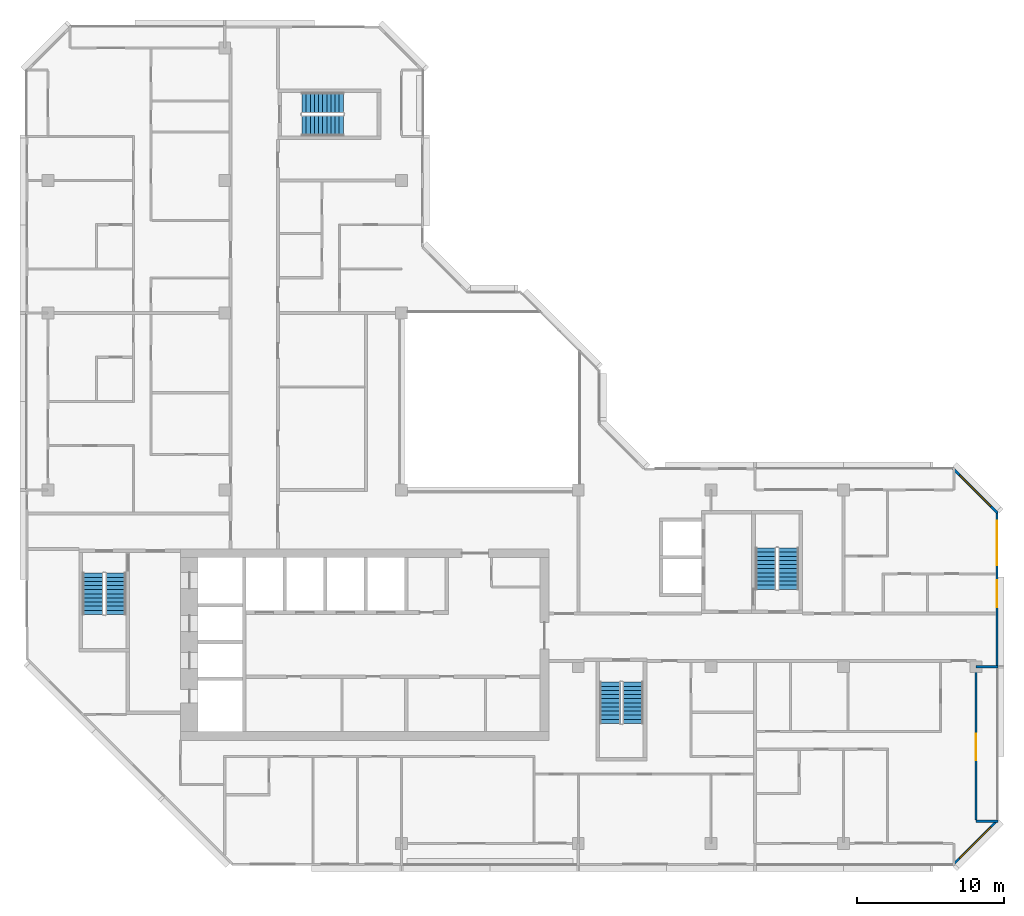
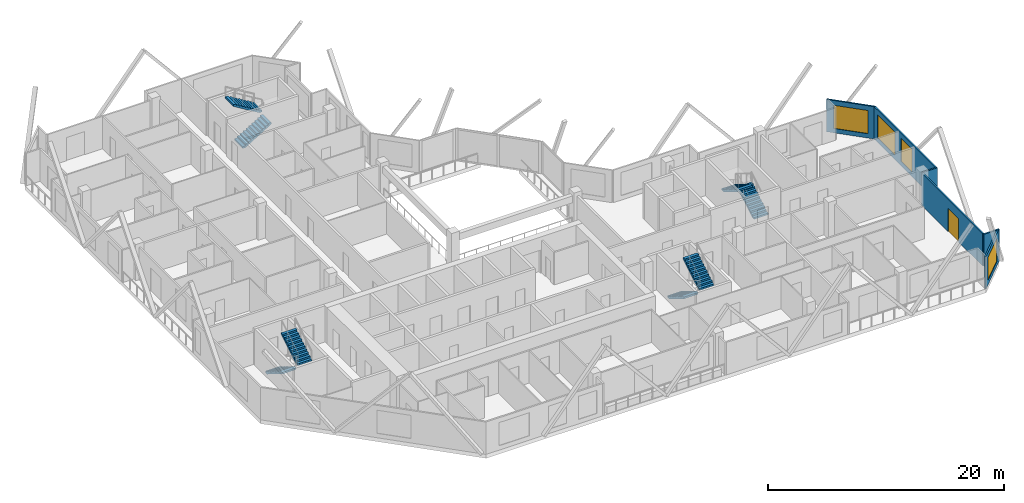
# One storey, part 11 of 13: 8 stair flights, 6 walls, 4 windows, 1 door, 5 openings, 4 elements without a shape of their own.
"""IFC4 building model written with IfcOpenShell, lengths in metres."""

from ifc_helpers import new_model, si_unit, direction, frame, frame_2d, origin, place, context, subcontext, project, spatial, polyline, rectangle, outline, extrude, material, layer, layer_set, type_object, element, fill, aggregate, save


model = new_model("IFC4")

# Units and contexts
model_context = context("Model", 3, precision=1e-05, world=origin(), true_north=direction((0.0, 1.0)))
body_context = subcontext(model_context, "Body", "Model", "MODEL_VIEW")
ifc_project = project(units=[si_unit("LENGTHUNIT", "METRE"), si_unit("AREAUNIT", "SQUARE_METRE"), si_unit("VOLUMEUNIT", "CUBIC_METRE"), si_unit("PLANEANGLEUNIT", "RADIAN"), si_unit("MASSUNIT", "GRAM", prefix="KILO")], contexts=[model_context])

# Site, building, storey
site_placement = place(None, origin())
site = spatial("IfcSite", under=ifc_project, at=site_placement, CompositionType="ELEMENT")
building_placement = place(site_placement, origin())
building = spatial("IfcBuilding", under=site, at=building_placement, Name="Chenar Terraces", CompositionType="ELEMENT")
storey_placement = place(building_placement, frame((0.0, 0.0, 303.39990234375)))
storey = spatial("IfcBuildingStorey", under=building, at=storey_placement, Name="L71", CompositionType="ELEMENT", Elevation=303.39990234375)

# Wall, openings, windows
ifc_material_1 = material(Name="Aluminium framed glazing", Category="aluminium")
ifc_layer_1 = layer(ifc_material_1, 0.14990234375)
ifc_layer_set_1 = layer_set([ifc_layer_1], Name="Aluminium framed glazing")
wall_type_1 = type_object("IfcWallType", Name="Glazed flush facade wall 150", PredefinedType="SOLIDWALL", material=ifc_layer_set_1)
wall_1_placement = place(storey_placement, frame((64.425048828125, 12.074951171875, 0.0), z_axis=(0.0, 0.0, 1.0), x_axis=(0.0, 1.0, 0.0)))
wall_1 = element("IfcWall", 1, at=wall_1_placement, inside=storey, type_object=wall_type_1, Name="Glazed flush facade wall", PredefinedType="SOLIDWALL", context=body_context, shape_type="SweptSolid", body=[
    extrude(rectangle(XDim=10.425048828125, YDim=0.14990234375, at=frame_2d((5.21240234375, 0.0))), origin(), (0.0, 0.0, 1.0), 3.35009765625),
])
opening_1_placement = place(wall_1_placement, frame((3.97509765625, 0.0, 0.449951171875)))
opening_1 = element("IfcOpeningElement", 2, at=opening_1_placement, cuts=wall_1, Name="Opening W180x240", PredefinedType="OPENING", context=body_context, shape_type="SweptSolid", body=[
    extrude(rectangle(XDim=1.800048828125, YDim=2.39990234375, at=frame_2d((0.89990234375, 1.199951171875))), frame((0.0, 0.0849609375, 0.0), z_axis=(0.0, -1.0, 0.0), x_axis=(1.0, 0.0, 0.0)), (0.0, 0.0, 1.0), 0.169921875),
])
opening_2_placement = place(wall_1_placement, frame((6.824951171875, 0.0, 0.449951171875)))
opening_2 = element("IfcOpeningElement", 3, at=opening_2_placement, cuts=wall_1, Name="Opening W300x240", PredefinedType="OPENING", context=body_context, shape_type="SweptSolid", body=[
    extrude(rectangle(XDim=3.0, YDim=2.39990234375, at=frame_2d((1.5, 1.199951171875))), frame((0.0, 0.0849609375, 0.0), z_axis=(0.0, -1.0, 0.0), x_axis=(1.0, 0.0, 0.0)), (0.0, 0.0, 1.0), 0.169921875),
])
ifc_material_2 = material(Name="Low emissivity double glazing, aluminium frame", Category="aluminium")
window_type_1 = type_object("IfcWindowType", Name="Fixed light 1800 x 2400", PartitioningType="SINGLE_PANEL", PredefinedType="WINDOW", material=ifc_material_2)
window_1_placement = place(opening_1_placement, origin())
window_1 = element("IfcWindow", 4, at=window_1_placement, inside=storey, type_object=window_type_1, Name="Window", OverallHeight=2.39990234375, OverallWidth=1.800048828125, PartitioningType="SINGLE_PANEL", PredefinedType="WINDOW", context=body_context, shape_type="SweptSolid", body=[
    extrude(rectangle(XDim=1.800048828125, YDim=2.39990234375, at=frame_2d((0.89990234375, 1.199951171875))), frame((0.0, 0.030029296875, 0.0), z_axis=(0.0, -1.0, 0.0), x_axis=(1.0, 0.0, 0.0)), (0.0, 0.0, 1.0), 0.06005859375),
])
fill(opening_1, window_1)
ifc_material_3 = material(Name="Low emissivity double glazing, aluminium frame", Category="aluminium")
window_type_2 = type_object("IfcWindowType", Name="Fixed light 3000 x 2400", PartitioningType="SINGLE_PANEL", PredefinedType="WINDOW", material=ifc_material_3)
window_2_placement = place(opening_2_placement, origin())
window_2 = element("IfcWindow", 5, at=window_2_placement, inside=storey, type_object=window_type_2, Name="Window", OverallHeight=2.39990234375, OverallWidth=3.0, PartitioningType="SINGLE_PANEL", PredefinedType="WINDOW", context=body_context, shape_type="SweptSolid", body=[
    extrude(rectangle(XDim=3.0, YDim=2.39990234375, at=frame_2d((1.5, 1.199951171875))), frame((0.0, 0.030029296875, 0.0), z_axis=(0.0, -1.0, 0.0), x_axis=(1.0, 0.0, 0.0)), (0.0, 0.0, 1.0), 0.06005859375),
])
fill(opening_2, window_2)

# Wall, opening, door
ifc_material_4 = material(Name="Aluminium framed glazing", Category="aluminium")
ifc_layer_2 = layer(ifc_material_4, 0.14990234375)
ifc_layer_set_2 = layer_set([ifc_layer_2], Name="Aluminium framed glazing")
wall_type_2 = type_object("IfcWallType", Name="Glazed loggia back wall 150", PredefinedType="SOLIDWALL", material=ifc_layer_set_2)
wall_2_placement = place(storey_placement, frame((63.0, 1.574951171875, 0.0), z_axis=(0.0, 0.0, 1.0), x_axis=(0.0, 1.0, 0.0)))
wall_2 = element("IfcWall", 6, at=wall_2_placement, inside=storey, type_object=wall_type_2, Name="Glazed loggia back wall", PredefinedType="SOLIDWALL", context=body_context, shape_type="SweptSolid", body=[
    extrude(rectangle(XDim=10.35009765625, YDim=0.14990234375, at=frame_2d((5.175048828125, 0.0))), origin(), (0.0, 0.0, 1.0), 3.35009765625),
])
opening_3_placement = place(wall_2_placement, frame((4.0625, 0.0, 0.0)))
opening_3 = element("IfcOpeningElement", 7, at=opening_3_placement, cuts=wall_2, Name="Opening DL71-G7", PredefinedType="OPENING", context=body_context, shape_type="SweptSolid", body=[
    extrude(rectangle(XDim=1.800048828125, YDim=2.39990234375, at=frame_2d((0.89990234375, 1.199951171875))), frame((0.0, 0.0849609375, 0.0), z_axis=(0.0, -1.0, 0.0), x_axis=(1.0, 0.0, 0.0)), (0.0, 0.0, 1.0), 0.169921875),
])
ifc_material_5 = material(Name="Low emissivity double glazing, aluminium frame", Category="aluminium")
door_type = type_object("IfcDoorType", Name="Loggia glazed double door 1800 x 2400", OperationType="DOUBLE_DOOR_SINGLE_SWING", PredefinedType="DOOR", material=ifc_material_5)
door_placement = place(opening_3_placement, frame((1.800048828125, 0.0, 0.0), z_axis=(0.0, 0.0, 1.0), x_axis=(-1.0, 0.0, 0.0)))
door = element("IfcDoor", 8, at=door_placement, inside=storey, type_object=door_type, Name="Loggia glazed door", OperationType="DOUBLE_DOOR_SINGLE_SWING", OverallHeight=2.39990234375, OverallWidth=1.800048828125, PredefinedType="DOOR", context=body_context, shape_type="SweptSolid", body=[
    extrude(rectangle(XDim=1.800048828125, YDim=2.39990234375, at=frame_2d((0.89990234375, 1.199951171875))), frame((0.0, 0.02490234375, 0.0), z_axis=(0.0, -1.0, 0.0), x_axis=(1.0, 0.0, 0.0)), (0.0, 0.0, 1.0), 0.050048828125),
])
fill(opening_3, door)

# Walls
ifc_material_6 = material(Name="Terracotta cladding on insulated backing", Category="masonry")
ifc_layer_3 = layer(ifc_material_6, 0.14990234375)
ifc_layer_set_3 = layer_set([ifc_layer_3], Name="Terracotta cladding on insulated backing")
wall_type_3 = type_object("IfcWallType", Name="Loggia return wall 150", PredefinedType="SOLIDWALL", material=ifc_layer_set_3)
for number, where, z_axis, x_axis, name in (
    (9, (64.5, 1.5, 0.0), (0.0, 0.0, 1.0), (-1.0, 0.0, 0.0), "Loggia return wall"),
    (10, (64.5, 12.0, 0.0), (0.0, 0.0, 1.0), (-1.0, 0.0, 0.0), "Loggia return wall"),
):
    element("IfcWall", number, at=place(storey_placement, frame(where, z_axis=z_axis, x_axis=x_axis)), inside=storey, type_object=wall_type_3, Name=name, PredefinedType="SOLIDWALL", context=body_context, shape_type="SweptSolid", body=[
        extrude(rectangle(XDim=1.5, YDim=0.14990234375, at=frame_2d((0.75, 0.0))), origin(), (0.0, 0.0, 1.0), 3.35009765625),
    ])

# Wall, opening, window
ifc_material_7 = material(Name="Terracotta cladding on insulated backing", Category="masonry")
ifc_layer_4 = layer(ifc_material_7, 0.14990234375)
ifc_layer_set_4 = layer_set([ifc_layer_4], Name="Terracotta cladding on insulated backing")
wall_type_4 = type_object("IfcWallType", Name="Terracotta rainscreen wall 150", PredefinedType="SOLIDWALL", material=ifc_layer_set_4)
wall_3_placement = place(storey_placement, frame((61.447021484375, -1.447021484375, 0.0), z_axis=(0.0, 0.0, 1.0), x_axis=(0.707106781187, 0.707106781187, 0.0)))
wall_3 = element("IfcWall", 11, at=wall_3_placement, inside=storey, type_object=wall_type_4, Name="Terracotta rainscreen wall", PredefinedType="SOLIDWALL", context=body_context, shape_type="SweptSolid", body=[
    extrude(rectangle(XDim=4.24267578125, YDim=0.14990234375, at=frame_2d((2.121337890625, 0.0))), origin(), (0.0, 0.0, 1.0), 3.35009765625),
])
opening_4_placement = place(wall_3_placement, frame((0.621337890625, 0.0, 0.449951171875)))
opening_4 = element("IfcOpeningElement", 12, at=opening_4_placement, cuts=wall_3, Name="Opening W300x240", PredefinedType="OPENING", context=body_context, shape_type="SweptSolid", body=[
    extrude(rectangle(XDim=3.0, YDim=2.39990234375, at=frame_2d((1.5, 1.199951171875))), frame((0.0, 0.0849609375, 0.0), z_axis=(0.0, -1.0, 0.0), x_axis=(1.0, 0.0, 0.0)), (0.0, 0.0, 1.0), 0.169921875),
])
window_3_placement = place(opening_4_placement, origin())
window_3 = element("IfcWindow", 13, at=window_3_placement, inside=storey, type_object=window_type_2, Name="Window", OverallHeight=2.39990234375, OverallWidth=3.0, PartitioningType="SINGLE_PANEL", PredefinedType="WINDOW", context=body_context, shape_type="SweptSolid", body=[
    extrude(rectangle(XDim=3.0, YDim=2.39990234375, at=frame_2d((1.5, 1.199951171875))), frame((0.0, 0.030029296875, 0.0), z_axis=(0.0, -1.0, 0.0), x_axis=(1.0, 0.0, 0.0)), (0.0, 0.0, 1.0), 0.06005859375),
])
fill(opening_4, window_3)

wall_4_placement = place(storey_placement, frame((64.447021484375, 22.447021484375, 0.0), z_axis=(0.0, 0.0, 1.0), x_axis=(-0.707106781187, 0.707106781187, 0.0)))
wall_4 = element("IfcWall", 14, at=wall_4_placement, inside=storey, type_object=wall_type_4, Name="Terracotta rainscreen wall", PredefinedType="SOLIDWALL", context=body_context, shape_type="SweptSolid", body=[
    extrude(rectangle(XDim=4.24267578125, YDim=0.14990234375, at=frame_2d((2.121337890625, 0.0))), origin(), (0.0, 0.0, 1.0), 3.35009765625),
])
opening_5_placement = place(wall_4_placement, frame((0.621337890625, 0.0, 0.449951171875)))
opening_5 = element("IfcOpeningElement", 15, at=opening_5_placement, cuts=wall_4, Name="Opening W300x240", PredefinedType="OPENING", context=body_context, shape_type="SweptSolid", body=[
    extrude(rectangle(XDim=3.0, YDim=2.39990234375, at=frame_2d((1.5, 1.199951171875))), frame((0.0, 0.0849609375, 0.0), z_axis=(0.0, -1.0, 0.0), x_axis=(1.0, 0.0, 0.0)), (0.0, 0.0, 1.0), 0.169921875),
])
window_4_placement = place(opening_5_placement, origin())
window_4 = element("IfcWindow", 16, at=window_4_placement, inside=storey, type_object=window_type_2, Name="Window", OverallHeight=2.39990234375, OverallWidth=3.0, PartitioningType="SINGLE_PANEL", PredefinedType="WINDOW", context=body_context, shape_type="SweptSolid", body=[
    extrude(rectangle(XDim=3.0, YDim=2.39990234375, at=frame_2d((1.5, 1.199951171875))), frame((0.0, 0.030029296875, 0.0), z_axis=(0.0, -1.0, 0.0), x_axis=(1.0, 0.0, 0.0)), (0.0, 0.0, 1.0), 0.06005859375),
])
fill(opening_5, window_4)

# Stair, stair flights
ifc_material_8 = material(Name="Reinforced concrete C40/50", Category="concrete")
stair_type = type_object("IfcStairType", Name="Core stair 1400 half-turn", PredefinedType="HALF_TURN_STAIR", material=ifc_material_8)
placement = place(storey_placement, origin())
stair_1 = element("IfcStair", 17, at=placement, inside=storey, type_object=stair_type, Name="L71 Stair 1", PredefinedType="HALF_TURN_STAIR")
ifc_material_9 = material(Name="Reinforced concrete C40/50", Category="concrete")
stair_flight_type = type_object("IfcStairFlightType", Name="Core stair flight 1400", PredefinedType="STRAIGHT", material=ifc_material_9)
stair_flight_1_placement = place(storey_placement, frame((3.050048828125, 18.35009765625, 0.0), z_axis=(0.0, 0.0, 1.0), x_axis=(0.0, -1.0, 0.0)))
stair_flight_1 = element("IfcStairFlight", 18, at=stair_flight_1_placement, type_object=stair_flight_type, Name="ST1 flight 1", NumberOfRisers=11, NumberOfTreads=10, PredefinedType="STRAIGHT", RiserHeight=0.170454545, TreadLength=0.28, context=body_context, shape_type="SweptSolid", body=[
    extrude(outline(polyline([(-0.0029296875, 0.0), (-0.0029296875, 0.17041015625), (0.0, 0.17041015625), (0.280029296875, 0.17041015625), (0.280029296875, 0.3408203125), (0.56005859375, 0.3408203125), (0.56005859375, 0.511474609375), (0.840087890625, 0.511474609375), (0.840087890625, 0.681884765625), (1.1201171875, 0.681884765625), (1.1201171875, 0.852294921875), (1.39990234375, 0.852294921875), (1.39990234375, 1.022705078125), (1.679931640625, 1.022705078125), (1.679931640625, 1.193115234375), (1.9599609375, 1.193115234375), (1.9599609375, 1.363525390625), (2.239990234375, 1.363525390625), (2.239990234375, 1.5341796875), (2.52001953125, 1.5341796875), (2.52001953125, 1.70458984375), (2.800048828125, 1.70458984375), (2.802978515625, 1.70458984375), (2.802978515625, 1.529052734375), (2.800048828125, 1.529052734375), (0.288330078125, 0.0), (-0.0029296875, 0.0)])), frame((0.0, 0.699951171875, 0.0), z_axis=(0.0, -1.0, 0.0), x_axis=(1.0, 0.0, 0.0)), (0.0, 0.0, 1.0), 1.39990234375),
])
stair_flight_2_placement = place(storey_placement, frame((4.60009765625, 15.550048828125, 1.875), z_axis=(0.0, 0.0, 1.0), x_axis=(0.0, 1.0, 0.0)))
stair_flight_2 = element("IfcStairFlight", 19, at=stair_flight_2_placement, type_object=stair_flight_type, Name="ST1 flight 2", NumberOfRisers=11, NumberOfTreads=10, PredefinedType="STRAIGHT", RiserHeight=0.170454545, TreadLength=0.28, context=body_context, shape_type="SweptSolid", body=[
    extrude(outline(polyline([(-0.0029296875, 0.0), (-0.0029296875, 0.17041015625), (0.0, 0.17041015625), (0.280029296875, 0.17041015625), (0.280029296875, 0.3408203125), (0.56005859375, 0.3408203125), (0.56005859375, 0.511474609375), (0.840087890625, 0.511474609375), (0.840087890625, 0.681884765625), (1.1201171875, 0.681884765625), (1.1201171875, 0.852294921875), (1.39990234375, 0.852294921875), (1.39990234375, 1.022705078125), (1.679931640625, 1.022705078125), (1.679931640625, 1.193115234375), (1.9599609375, 1.193115234375), (1.9599609375, 1.363525390625), (2.239990234375, 1.363525390625), (2.239990234375, 1.5341796875), (2.52001953125, 1.5341796875), (2.52001953125, 1.70458984375), (2.800048828125, 1.70458984375), (2.802978515625, 1.70458984375), (2.802978515625, 1.529052734375), (2.800048828125, 1.529052734375), (0.288330078125, 0.0), (-0.0029296875, 0.0)])), frame((0.0, 0.699951171875, 0.0), z_axis=(0.0, -1.0, 0.0), x_axis=(1.0, 0.0, 0.0)), (0.0, 0.0, 1.0), 1.39990234375),
])
aggregate(stair_1, [stair_flight_1, stair_flight_2])

stair_2 = element("IfcStair", 20, at=placement, inside=storey, type_object=stair_type, Name="L71 Stair 2", PredefinedType="HALF_TURN_STAIR")
stair_flight_3_placement = place(storey_placement, frame((38.14990234375, 10.949951171875, 0.0), z_axis=(0.0, 0.0, 1.0), x_axis=(0.0, -1.0, 0.0)))
stair_flight_3 = element("IfcStairFlight", 21, at=stair_flight_3_placement, type_object=stair_flight_type, Name="ST2 flight 1", NumberOfRisers=11, NumberOfTreads=10, PredefinedType="STRAIGHT", RiserHeight=0.170454545, TreadLength=0.28, context=body_context, shape_type="SweptSolid", body=[
    extrude(outline(polyline([(-0.0029296875, 0.0), (-0.0029296875, 0.17041015625), (0.0, 0.17041015625), (0.280029296875, 0.17041015625), (0.280029296875, 0.3408203125), (0.56005859375, 0.3408203125), (0.56005859375, 0.511474609375), (0.840087890625, 0.511474609375), (0.840087890625, 0.681884765625), (1.1201171875, 0.681884765625), (1.1201171875, 0.852294921875), (1.39990234375, 0.852294921875), (1.39990234375, 1.022705078125), (1.679931640625, 1.022705078125), (1.679931640625, 1.193115234375), (1.9599609375, 1.193115234375), (1.9599609375, 1.363525390625), (2.239990234375, 1.363525390625), (2.239990234375, 1.5341796875), (2.52001953125, 1.5341796875), (2.52001953125, 1.70458984375), (2.800048828125, 1.70458984375), (2.802978515625, 1.70458984375), (2.802978515625, 1.529052734375), (2.800048828125, 1.529052734375), (0.288330078125, 0.0), (-0.0029296875, 0.0)])), frame((0.0, 0.699951171875, 0.0), z_axis=(0.0, -1.0, 0.0), x_axis=(1.0, 0.0, 0.0)), (0.0, 0.0, 1.0), 1.39990234375),
])
stair_flight_4_placement = place(storey_placement, frame((39.699951171875, 8.14990234375, 1.875), z_axis=(0.0, 0.0, 1.0), x_axis=(0.0, 1.0, 0.0)))
stair_flight_4 = element("IfcStairFlight", 22, at=stair_flight_4_placement, type_object=stair_flight_type, Name="ST2 flight 2", NumberOfRisers=11, NumberOfTreads=10, PredefinedType="STRAIGHT", RiserHeight=0.170454545, TreadLength=0.28, context=body_context, shape_type="SweptSolid", body=[
    extrude(outline(polyline([(-0.0029296875, 0.0), (-0.0029296875, 0.17041015625), (0.0, 0.17041015625), (0.280029296875, 0.17041015625), (0.280029296875, 0.3408203125), (0.56005859375, 0.3408203125), (0.56005859375, 0.511474609375), (0.840087890625, 0.511474609375), (0.840087890625, 0.681884765625), (1.1201171875, 0.681884765625), (1.1201171875, 0.852294921875), (1.39990234375, 0.852294921875), (1.39990234375, 1.022705078125), (1.679931640625, 1.022705078125), (1.679931640625, 1.193115234375), (1.9599609375, 1.193115234375), (1.9599609375, 1.363525390625), (2.239990234375, 1.363525390625), (2.239990234375, 1.5341796875), (2.52001953125, 1.5341796875), (2.52001953125, 1.70458984375), (2.800048828125, 1.70458984375), (2.802978515625, 1.70458984375), (2.802978515625, 1.529052734375), (2.800048828125, 1.529052734375), (0.288330078125, 0.0), (-0.0029296875, 0.0)])), frame((0.0, 0.699951171875, 0.0), z_axis=(0.0, -1.0, 0.0), x_axis=(1.0, 0.0, 0.0)), (0.0, 0.0, 1.0), 1.39990234375),
])
aggregate(stair_2, [stair_flight_3, stair_flight_4])

stair_3 = element("IfcStair", 23, at=placement, inside=storey, type_object=stair_type, Name="L71 Stair 3", PredefinedType="HALF_TURN_STAIR")
stair_flight_5_placement = place(storey_placement, frame((50.27490234375, 17.25, 0.0), z_axis=(0.0, 0.0, 1.0), x_axis=(0.0, 1.0, 0.0)))
stair_flight_5 = element("IfcStairFlight", 24, at=stair_flight_5_placement, type_object=stair_flight_type, Name="ST3 flight 1", NumberOfRisers=11, NumberOfTreads=10, PredefinedType="STRAIGHT", RiserHeight=0.170454545, TreadLength=0.28, context=body_context, shape_type="SweptSolid", body=[
    extrude(outline(polyline([(-0.0029296875, 0.0), (-0.0029296875, 0.17041015625), (0.0, 0.17041015625), (0.280029296875, 0.17041015625), (0.280029296875, 0.3408203125), (0.56005859375, 0.3408203125), (0.56005859375, 0.511474609375), (0.840087890625, 0.511474609375), (0.840087890625, 0.681884765625), (1.1201171875, 0.681884765625), (1.1201171875, 0.852294921875), (1.39990234375, 0.852294921875), (1.39990234375, 1.022705078125), (1.679931640625, 1.022705078125), (1.679931640625, 1.193115234375), (1.9599609375, 1.193115234375), (1.9599609375, 1.363525390625), (2.239990234375, 1.363525390625), (2.239990234375, 1.5341796875), (2.52001953125, 1.5341796875), (2.52001953125, 1.70458984375), (2.800048828125, 1.70458984375), (2.802978515625, 1.70458984375), (2.802978515625, 1.529052734375), (2.800048828125, 1.529052734375), (0.288330078125, 0.0), (-0.0029296875, 0.0)])), frame((0.0, 0.699951171875, 0.0), z_axis=(0.0, -1.0, 0.0), x_axis=(1.0, 0.0, 0.0)), (0.0, 0.0, 1.0), 1.39990234375),
])
stair_flight_6_placement = place(storey_placement, frame((48.72509765625, 20.050048828125, 1.875), z_axis=(0.0, 0.0, 1.0), x_axis=(0.0, -1.0, 0.0)))
stair_flight_6 = element("IfcStairFlight", 25, at=stair_flight_6_placement, type_object=stair_flight_type, Name="ST3 flight 2", NumberOfRisers=11, NumberOfTreads=10, PredefinedType="STRAIGHT", RiserHeight=0.170454545, TreadLength=0.28, context=body_context, shape_type="SweptSolid", body=[
    extrude(outline(polyline([(-0.0029296875, 0.0), (-0.0029296875, 0.17041015625), (0.0, 0.17041015625), (0.280029296875, 0.17041015625), (0.280029296875, 0.3408203125), (0.56005859375, 0.3408203125), (0.56005859375, 0.511474609375), (0.840087890625, 0.511474609375), (0.840087890625, 0.681884765625), (1.1201171875, 0.681884765625), (1.1201171875, 0.852294921875), (1.39990234375, 0.852294921875), (1.39990234375, 1.022705078125), (1.679931640625, 1.022705078125), (1.679931640625, 1.193115234375), (1.9599609375, 1.193115234375), (1.9599609375, 1.363525390625), (2.239990234375, 1.363525390625), (2.239990234375, 1.5341796875), (2.52001953125, 1.5341796875), (2.52001953125, 1.70458984375), (2.800048828125, 1.70458984375), (2.802978515625, 1.70458984375), (2.802978515625, 1.529052734375), (2.800048828125, 1.529052734375), (0.288330078125, 0.0), (-0.0029296875, 0.0)])), frame((0.0, 0.699951171875, 0.0), z_axis=(0.0, -1.0, 0.0), x_axis=(1.0, 0.0, 0.0)), (0.0, 0.0, 1.0), 1.39990234375),
])
aggregate(stair_3, [stair_flight_5, stair_flight_6])

stair_4 = element("IfcStair", 26, at=placement, inside=storey, type_object=stair_type, Name="L71 Stair 4", PredefinedType="HALF_TURN_STAIR")
stair_flight_7_placement = place(storey_placement, frame((17.25, 48.72509765625, 0.0), z_axis=(0.0, 0.0, 1.0), x_axis=(1.0, 0.0, 0.0)))
stair_flight_7 = element("IfcStairFlight", 27, at=stair_flight_7_placement, type_object=stair_flight_type, Name="ST4 flight 1", NumberOfRisers=11, NumberOfTreads=10, PredefinedType="STRAIGHT", RiserHeight=0.170454545, TreadLength=0.28, context=body_context, shape_type="SweptSolid", body=[
    extrude(outline(polyline([(-0.0029296875, 0.0), (-0.0029296875, 0.17041015625), (0.0, 0.17041015625), (0.280029296875, 0.17041015625), (0.280029296875, 0.3408203125), (0.56005859375, 0.3408203125), (0.56005859375, 0.511474609375), (0.840087890625, 0.511474609375), (0.840087890625, 0.681884765625), (1.1201171875, 0.681884765625), (1.1201171875, 0.852294921875), (1.39990234375, 0.852294921875), (1.39990234375, 1.022705078125), (1.679931640625, 1.022705078125), (1.679931640625, 1.193115234375), (1.9599609375, 1.193115234375), (1.9599609375, 1.363525390625), (2.239990234375, 1.363525390625), (2.239990234375, 1.5341796875), (2.52001953125, 1.5341796875), (2.52001953125, 1.70458984375), (2.800048828125, 1.70458984375), (2.802978515625, 1.70458984375), (2.802978515625, 1.529052734375), (2.800048828125, 1.529052734375), (0.288330078125, 0.0), (-0.0029296875, 0.0)])), frame((0.0, 0.699951171875, 0.0), z_axis=(0.0, -1.0, 0.0), x_axis=(1.0, 0.0, 0.0)), (0.0, 0.0, 1.0), 1.39990234375),
])
stair_flight_8_placement = place(storey_placement, frame((20.050048828125, 50.27490234375, 1.875), z_axis=(0.0, 0.0, 1.0), x_axis=(-1.0, 0.0, 0.0)))
stair_flight_8 = element("IfcStairFlight", 28, at=stair_flight_8_placement, type_object=stair_flight_type, Name="ST4 flight 2", NumberOfRisers=11, NumberOfTreads=10, PredefinedType="STRAIGHT", RiserHeight=0.170454545, TreadLength=0.28, context=body_context, shape_type="SweptSolid", body=[
    extrude(outline(polyline([(-0.0029296875, 0.0), (-0.0029296875, 0.17041015625), (0.0, 0.17041015625), (0.280029296875, 0.17041015625), (0.280029296875, 0.3408203125), (0.56005859375, 0.3408203125), (0.56005859375, 0.511474609375), (0.840087890625, 0.511474609375), (0.840087890625, 0.681884765625), (1.1201171875, 0.681884765625), (1.1201171875, 0.852294921875), (1.39990234375, 0.852294921875), (1.39990234375, 1.022705078125), (1.679931640625, 1.022705078125), (1.679931640625, 1.193115234375), (1.9599609375, 1.193115234375), (1.9599609375, 1.363525390625), (2.239990234375, 1.363525390625), (2.239990234375, 1.5341796875), (2.52001953125, 1.5341796875), (2.52001953125, 1.70458984375), (2.800048828125, 1.70458984375), (2.802978515625, 1.70458984375), (2.802978515625, 1.529052734375), (2.800048828125, 1.529052734375), (0.288330078125, 0.0), (-0.0029296875, 0.0)])), frame((0.0, 0.699951171875, 0.0), z_axis=(0.0, -1.0, 0.0), x_axis=(1.0, 0.0, 0.0)), (0.0, 0.0, 1.0), 1.39990234375),
])
aggregate(stair_4, [stair_flight_7, stair_flight_8])

save(model, "model.ifc")
